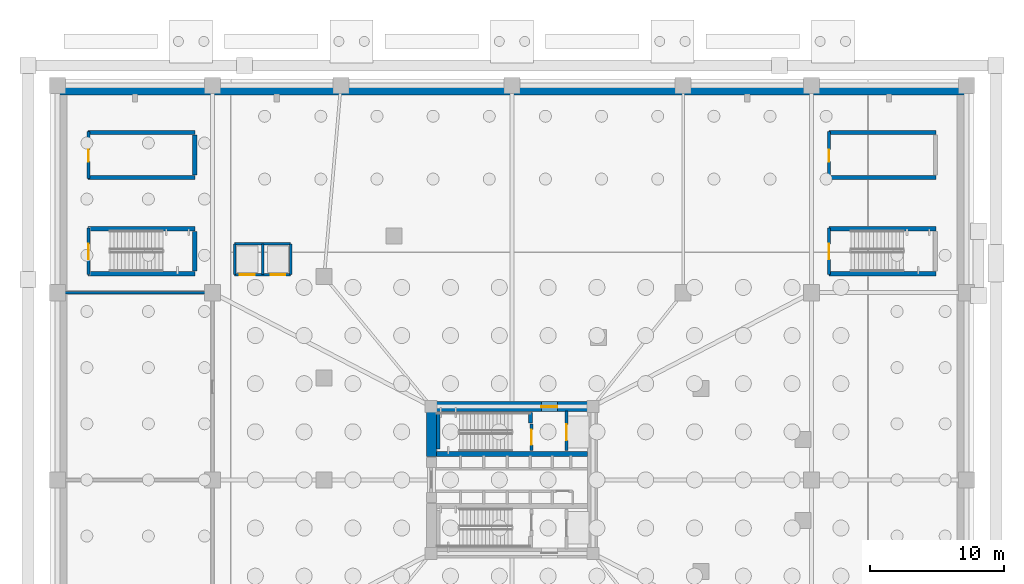
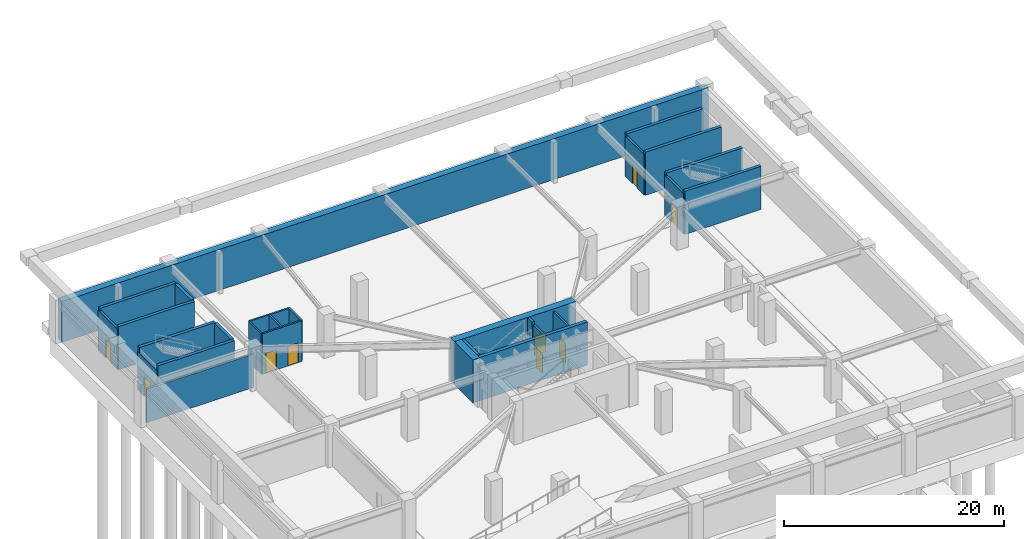
# One storey, part 7 of 14: 28 walls, 9 doors, 9 openings.
"""IFC4 building model written with IfcOpenShell, lengths in metres."""

import ifcopenshell
import ifcopenshell.guid

model = None  # the IFC model being written
_history = None  # IfcOwnerHistory: only IFC2X3 demands one
_inside = {}  # id of a spatial element -> (the spatial element, [elements in it])
_under = {}  # id of a project, library or spatial element -> (it, [spatial elements below it])
_declared = {}  # id of a project -> (the project, [libraries it declares])
_typed = {}  # id of a type object -> (the type object, [elements of that type])
_made_of = {}  # id of a material, layer set ... -> (it, [elements and type objects made of it])


def new_model(schema):
    """Start an empty IFC model of exactly this schema.

    Asked for "IFC4X3", IfcOpenShell would pick the latest addendum, in which some entities
    have other attributes; the version numbers below select the first issue.
    IFC2X3 requires an IfcOwnerHistory on every rooted entity: one is made here for all.
    """
    global model, _history
    if schema == "IFC4X3":
        model = ifcopenshell.file(schema_version=(4, 3, 0, 0))
    else:
        model = ifcopenshell.file(schema=schema)
    _inside.clear()
    _under.clear()
    _declared.clear()
    _typed.clear()
    _made_of.clear()
    _history = None
    if model.schema == "IFC2X3":
        org = make("IfcOrganization", Name="unknown")
        user = make(
            "IfcPersonAndOrganization",
            ThePerson=make("IfcPerson", FamilyName="unknown"),
            TheOrganization=org,
        )
        app = make(
            "IfcApplication",
            ApplicationDeveloper=org,
            Version="unknown",
            ApplicationFullName="unknown",
            ApplicationIdentifier="unknown",
        )
        _history = make(
            "IfcOwnerHistory",
            OwningUser=user,
            OwningApplication=app,
            ChangeAction="ADDED",
            CreationDate=0,
        )
    return model


def make(cls, **values):
    """One entity of the class cls with the attributes given. An attribute that is None is left unset."""
    return model.create_entity(
        cls, **{name: value for name, value in values.items() if value is not None}
    )


def rooted(cls, **values):
    """An entity with a GlobalId (a new one), such as an element, a storey or a relation."""
    return make(cls, GlobalId=ifcopenshell.guid.new(), OwnerHistory=_history, **values)


def si_unit(unit_type, name, prefix=None):
    """IfcSIUnit, for example si_unit("LENGTHUNIT", "METRE", prefix="MILLI")."""
    return make("IfcSIUnit", UnitType=unit_type, Prefix=prefix, Name=name)


def assignment(units):
    """IfcUnitAssignment: the units of a project."""
    return None if units is None else make("IfcUnitAssignment", Units=units)


def point(xyz):
    """IfcCartesianPoint."""
    return None if xyz is None else make("IfcCartesianPoint", Coordinates=xyz)


def direction(xyz):
    """IfcDirection."""
    return None if xyz is None else make("IfcDirection", DirectionRatios=xyz)


def frame(location, z_axis=None, x_axis=None):
    """IfcAxis2Placement3D, a coordinate frame: its origin and axes. An axis left out is left unset."""
    return make(
        "IfcAxis2Placement3D",
        Location=point(location),
        Axis=direction(z_axis),
        RefDirection=direction(x_axis),
    )


def frame_2d(location, x_axis=None):
    """IfcAxis2Placement2D, a coordinate frame in the plane: its origin and x axis."""
    return make(
        "IfcAxis2Placement2D", Location=point(location), RefDirection=direction(x_axis)
    )


def origin():
    """The frame at (0, 0, 0) with its axes left unset."""
    return frame((0.0, 0.0, 0.0))


def place(relative_to, where):
    """IfcLocalPlacement: puts the frame where relative to a parent placement (None: the world)."""
    return make(
        "IfcLocalPlacement", PlacementRelTo=relative_to, RelativePlacement=where
    )


def context(
    kind, dimensions, precision=None, world=None, true_north=None, identifier=None
):
    """IfcGeometricRepresentationContext, for example the 3D "Model" context."""
    return make(
        "IfcGeometricRepresentationContext",
        ContextIdentifier=identifier,
        ContextType=kind,
        CoordinateSpaceDimension=dimensions,
        Precision=precision,
        WorldCoordinateSystem=world,
        TrueNorth=true_north,
    )


def subcontext(parent, identifier, kind, view, scale=None):
    """IfcGeometricRepresentationSubContext, for example "Body" below "Model"."""
    return make(
        "IfcGeometricRepresentationSubContext",
        ContextIdentifier=identifier,
        ContextType=kind,
        ParentContext=parent,
        TargetScale=scale,
        TargetView=view,
    )


def project(units=None, contexts=None):
    """IfcProject with its units and contexts."""
    return rooted(
        "IfcProject",
        Name="project",
        RepresentationContexts=contexts,
        UnitsInContext=assignment(units),
    )


def spatial(cls, under=None, at=None, **own):
    """A site, building, storey or space (cls), placed at a placement, below another one or the project."""
    s = rooted(cls, ObjectPlacement=at, **own)
    if under is not None:
        _under.setdefault(under.id(), (under, []))[1].append(s)
    return s


def profile(cls, at=None, kind="AREA", **sizes):
    """A parametric profile (cls). Its sizes go by their IFC names, for example OverallWidth=200.0."""
    return make(cls, ProfileType=kind, Position=at, **sizes)


def rectangle(**sizes):
    """IfcRectangleProfileDef."""
    return profile("IfcRectangleProfileDef", **sizes)


def extrude(swept, where, along, depth):
    """IfcExtrudedAreaSolid: the profile swept, set in the frame where, extruded along a direction by depth."""
    return make(
        "IfcExtrudedAreaSolid",
        SweptArea=swept,
        Position=where,
        ExtrudedDirection=direction(along),
        Depth=depth,
    )


def shape(context_of_items, identifier, shape_type, items):
    """IfcShapeRepresentation: the items that make up one representation, for example the "Body"."""
    return make(
        "IfcShapeRepresentation",
        ContextOfItems=context_of_items,
        RepresentationIdentifier=identifier,
        RepresentationType=shape_type,
        Items=items,
    )


def material(Name=None, Category=None):
    """IfcMaterial."""
    return make("IfcMaterial", Name=Name, Category=Category)


def layer(
    of_material, thickness, ventilated=None, Name=None, Category=None, Priority=None
):
    """IfcMaterialLayer: one layer of a wall or slab, of a material (None: an air gap)."""
    return make(
        "IfcMaterialLayer",
        Material=of_material,
        LayerThickness=thickness,
        IsVentilated=ventilated,
        Name=Name,
        Category=Category,
        Priority=Priority,
    )


def layer_set(layers, Name=None):
    """IfcMaterialLayerSet."""
    return make("IfcMaterialLayerSet", MaterialLayers=layers, LayerSetName=Name)


def made_of(thing, what):
    """Note that an element or type object is made of a material, layer set ...; save() writes the relation."""
    if what is not None:
        _made_of.setdefault(what.id(), (what, []))[1].append(thing)
    return thing


def type_object(cls, material=None, **own):
    """A type object (cls), such as IfcWallType, which elements share."""
    return made_of(rooted(cls, **own), material)


def element(
    cls,
    number,
    at=None,
    inside=None,
    cuts=None,
    type_object=None,
    material=None,
    context=None,
    identifier="Body",
    shape_type=None,
    held_by="IfcProductDefinitionShape",
    body=None,
    shapes=None,
    **own,
):
    """One element of the class cls, such as IfcWall. Its Tag is "e" and its number.

    at: its placement. inside: the storey or other place that contains it. cuts: it is an
    opening in that element (IfcRelVoidsElement). A single representation is given by context,
    identifier, shape_type and body (its items); several are given by shapes. held_by: the class
    of the entity that holds the representations. save() writes the other relations.
    """
    e = rooted(cls, Tag="e%d" % number, ObjectPlacement=at, **own)
    if body is not None:
        shapes = [shape(context, identifier, shape_type, body)]
    if shapes is not None:
        e.Representation = make(held_by, Representations=shapes)
    if inside is not None:
        _inside.setdefault(inside.id(), (inside, []))[1].append(e)
    if cuts is not None:
        rooted(
            "IfcRelVoidsElement", RelatingBuildingElement=cuts, RelatedOpeningElement=e
        )
    if type_object is not None:
        _typed.setdefault(type_object.id(), (type_object, []))[1].append(e)
    return made_of(e, material)


def fill(opening, filler):
    """IfcRelFillsElement: the door or window that sits in an opening."""
    return rooted(
        "IfcRelFillsElement",
        RelatingOpeningElement=opening,
        RelatedBuildingElement=filler,
    )


def aggregate(whole, parts):
    """IfcRelAggregates: a whole, such as a stair, and the parts it consists of."""
    return rooted("IfcRelAggregates", RelatingObject=whole, RelatedObjects=parts)


def save(model, path):
    """Write the relations noted so far, then the file.

    IfcRelAggregates (storeys below a building ...), IfcRelContainedInSpatialStructure (elements
    in a storey), IfcRelDefinesByType, IfcRelAssociatesMaterial and IfcRelDeclares: one each for
    every whole, place, type object, material and project.
    """
    for whole, parts in _under.values():
        aggregate(whole, parts)
    for where, things in _inside.values():
        rooted(
            "IfcRelContainedInSpatialStructure",
            RelatedElements=things,
            RelatingStructure=where,
        )
    for kind, things in _typed.values():
        rooted("IfcRelDefinesByType", RelatedObjects=things, RelatingType=kind)
    for what, things in _made_of.values():
        rooted("IfcRelAssociatesMaterial", RelatedObjects=things, RelatingMaterial=what)
    for by, libraries in _declared.values():
        rooted("IfcRelDeclares", RelatingContext=by, RelatedDefinitions=libraries)
    model.write(path)


model = new_model("IFC4")

# Units and contexts
model_context = context("Model", 3, precision=1e-05, world=origin(), true_north=direction((0.0, 1.0)))
body_context = subcontext(model_context, "Body", "Model", "MODEL_VIEW")
ifc_project = project(units=[si_unit("LENGTHUNIT", "METRE"), si_unit("AREAUNIT", "SQUARE_METRE"), si_unit("VOLUMEUNIT", "CUBIC_METRE"), si_unit("PLANEANGLEUNIT", "RADIAN"), si_unit("MASSUNIT", "GRAM", prefix="KILO")], contexts=[model_context])

# Site, building, storey
site_placement = place(None, origin())
site = spatial("IfcSite", under=ifc_project, at=site_placement, CompositionType="ELEMENT")
building_placement = place(site_placement, origin())
building = spatial("IfcBuilding", under=site, at=building_placement, Name="Yunling Apex Tower", CompositionType="ELEMENT")
storey_placement = place(building_placement, frame((0.0, 0.0, -9.60009765625)))
storey = spatial("IfcBuildingStorey", under=building, at=storey_placement, Name="B02", CompositionType="ELEMENT", Elevation=-9.60009765625)

# Wall
ifc_material_1 = material(Name="Concrete C50", Category="concrete")
ifc_layer_1 = layer(ifc_material_1, 0.699951171875)
ifc_layer_set_1 = layer_set([ifc_layer_1], Name="Concrete C50")
wall_type_1 = type_object("IfcWallType", Name="WL-BSM-1", PredefinedType="USERDEFINED", material=ifc_layer_set_1)
wall_1_placement = place(storey_placement, frame((-34.0, 29.14990234375, 0.0), z_axis=(0.0, 0.0, 1.0), x_axis=(1.0, 0.0, 0.0)))
element("IfcWall", 1, at=wall_1_placement, inside=storey, type_object=wall_type_1, Name="B02 North Retaining Wall", ObjectType="RETAININGWALL", PredefinedType="USERDEFINED", context=body_context, shape_type="SweptSolid", body=[
    extrude(rectangle(XDim=68.0, YDim=0.699951171875, at=frame_2d((34.0, 0.0))), origin(), (0.0, 0.0, 1.0), 4.5400390625),
])

# Wall, opening, door
ifc_material_2 = material(Name="Concrete C60", Category="concrete")
ifc_layer_2 = layer(ifc_material_2, 0.75)
ifc_layer_set_2 = layer_set([ifc_layer_2], Name="Concrete C60")
wall_type_2 = type_object("IfcWallType", Name="WL-COR-1", PredefinedType="SHEAR", material=ifc_layer_set_2)
wall_2_placement = place(storey_placement, frame((-6.39990234375, 5.47509765625, 0.0), z_axis=(0.0, 0.0, 1.0), x_axis=(1.0, 0.0, 0.0)))
wall_2 = element("IfcWall", 2, at=wall_2_placement, inside=storey, type_object=wall_type_2, Name="B02 North Core Shear Wall", PredefinedType="SHEAR", context=body_context, shape_type="SweptSolid", body=[
    extrude(rectangle(XDim=12.7998046875, YDim=0.75, at=frame_2d((6.39990234375, 0.0))), origin(), (0.0, 0.0, 1.0), 4.800048828125),
])
opening_1_placement = place(wall_2_placement, frame((8.60009765625, 0.0, 0.0)))
opening_1 = element("IfcOpeningElement", 3, at=opening_1_placement, cuts=wall_2, Name="Opening DR-FFL-1", PredefinedType="OPENING", context=body_context, shape_type="SweptSolid", body=[
    extrude(rectangle(XDim=1.199951171875, YDim=2.199951171875, at=frame_2d((0.60009765625, 1.10009765625))), frame((0.0, 0.385009765625, 0.0), z_axis=(0.0, -1.0, 0.0), x_axis=(1.0, 0.0, 0.0)), (0.0, 0.0, 1.0), 0.77001953125),
])
ifc_material_3 = material(Name="Steel Q355B", Category="steel")
door_type_1 = type_object("IfcDoorType", Name="DR-FFL-1", OperationType="NOTDEFINED", PredefinedType="DOOR", material=ifc_material_3)
door_1_placement = place(opening_1_placement, origin())
door_1 = element("IfcDoor", 4, at=door_1_placement, inside=storey, type_object=door_type_1, Name="B02 North Firefighting Lobby Door", OperationType="SINGLE_SWING_LEFT", OverallHeight=2.199951171875, OverallWidth=1.199951171875, PredefinedType="DOOR", context=body_context, shape_type="SweptSolid", body=[
    extrude(rectangle(XDim=1.199951171875, YDim=2.199951171875, at=frame_2d((0.60009765625, 1.10009765625))), frame((0.0, 0.02490234375, 0.0), z_axis=(0.0, -1.0, 0.0), x_axis=(1.0, 0.0, 0.0)), (0.0, 0.0, 1.0), 0.050048828125),
])
fill(opening_1, door_1)

# Walls
wall_3_placement = place(storey_placement, frame((-6.02490234375, 1.75, 0.0), z_axis=(0.0, 0.0, 1.0), x_axis=(0.0, 1.0, 0.0)))
element("IfcWall", 5, at=wall_3_placement, inside=storey, type_object=wall_type_2, Name="B02 West-North Core Shear Wall", PredefinedType="SHEAR", context=body_context, shape_type="SweptSolid", body=[
    extrude(rectangle(XDim=3.35009765625, YDim=0.75, at=frame_2d((1.675048828125, 0.0))), origin(), (0.0, 0.0, 1.0), 4.800048828125),
])
ifc_material_4 = material(Name="Concrete C40", Category="concrete")
ifc_layer_3 = layer(ifc_material_4, 0.360107421875)
ifc_layer_set_3 = layer_set([ifc_layer_3], Name="Concrete C40")
wall_type_3 = type_object("IfcWallType", Name="WL-COR-4", PredefinedType="SHEAR", material=ifc_layer_set_3)
wall_4_placement = place(storey_placement, frame((-5.64990234375, 1.93994140625, 0.0), z_axis=(0.0, 0.0, 1.0), x_axis=(1.0, 0.0, 0.0)))
element("IfcWall", 6, at=wall_4_placement, inside=storey, type_object=wall_type_3, Name="B02 North Internal Core Shear Wall", PredefinedType="SHEAR", context=body_context, shape_type="SweptSolid", body=[
    extrude(rectangle(XDim=11.2998046875, YDim=0.360107421875, at=frame_2d((5.64990234375, 0.0))), origin(), (0.0, 0.0, 1.0), 4.800048828125),
])
ifc_layer_4 = layer(ifc_material_4, 0.320068359375)
ifc_layer_set_4 = layer_set([ifc_layer_4], Name="Concrete C40")
wall_type_4 = type_object("IfcWallType", Name="WL-COR-7", PredefinedType="SHEAR", material=ifc_layer_set_4)
for number, where, z_axis, x_axis, name in (
    (7, (-31.699951171875, 18.780029296875, 0.0), (0.0, 0.0, 1.0), (1.0, 0.0, 0.0), "B02 STP1 North Bearing Wall"),
    (8, (-31.699951171875, 15.419921875, 0.0), (0.0, 0.0, 1.0), (1.0, 0.0, 0.0), "B02 STP1 South Bearing Wall"),
):
    element("IfcWall", number, at=place(storey_placement, frame(where, z_axis=z_axis, x_axis=x_axis)), inside=storey, type_object=wall_type_4, Name=name, PredefinedType="SHEAR", context=body_context, shape_type="SweptSolid", body=[
        extrude(rectangle(XDim=8.0, YDim=0.320068359375, at=frame_2d((4.0, 0.0))), origin(), (0.0, 0.0, 1.0), 4.800048828125),
    ])
wall_5_placement = place(storey_placement, frame((-23.719970703125, 15.6201171875, 0.0), z_axis=(0.0, 0.0, 1.0), x_axis=(0.0, 1.0, 0.0)))
element("IfcWall", 9, at=wall_5_placement, inside=storey, type_object=wall_type_4, Name="B02 STP1 Half-Landing Bearing Wall", PredefinedType="SHEAR", context=body_context, shape_type="SweptSolid", body=[
    extrude(rectangle(XDim=2.9599609375, YDim=0.320068359375, at=frame_2d((1.47998046875, 0.0))), origin(), (0.0, 0.0, 1.0), 4.800048828125),
])
for number, where, z_axis, x_axis, name in (
    (10, (23.699951171875, 18.780029296875, 0.0), (0.0, 0.0, 1.0), (1.0, 0.0, 0.0), "B02 STP2 North Bearing Wall"),
    (11, (23.699951171875, 15.419921875, 0.0), (0.0, 0.0, 1.0), (1.0, 0.0, 0.0), "B02 STP2 South Bearing Wall"),
    (12, (-31.699951171875, 25.97998046875, 0.0), (0.0, 0.0, 1.0), (1.0, 0.0, 0.0), "B02 STG1 North Bearing Wall"),
    (13, (-31.699951171875, 22.6201171875, 0.0), (0.0, 0.0, 1.0), (1.0, 0.0, 0.0), "B02 STG1 South Bearing Wall"),
):
    element("IfcWall", number, at=place(storey_placement, frame(where, z_axis=z_axis, x_axis=x_axis)), inside=storey, type_object=wall_type_4, Name=name, PredefinedType="SHEAR", context=body_context, shape_type="SweptSolid", body=[
        extrude(rectangle(XDim=8.0, YDim=0.320068359375, at=frame_2d((4.0, 0.0))), origin(), (0.0, 0.0, 1.0), 4.800048828125),
    ])
wall_6_placement = place(storey_placement, frame((-23.719970703125, 22.820068359375, 0.0), z_axis=(0.0, 0.0, 1.0), x_axis=(0.0, 1.0, 0.0)))
element("IfcWall", 14, at=wall_6_placement, inside=storey, type_object=wall_type_4, Name="B02 STG1 Half-Landing Bearing Wall", PredefinedType="SHEAR", context=body_context, shape_type="SweptSolid", body=[
    extrude(rectangle(XDim=2.9599609375, YDim=0.320068359375, at=frame_2d((1.47998046875, 0.0))), origin(), (0.0, 0.0, 1.0), 4.800048828125),
])
for number, where, z_axis, x_axis, name in (
    (15, (23.699951171875, 25.97998046875, 0.0), (0.0, 0.0, 1.0), (1.0, 0.0, 0.0), "B02 STG2 North Bearing Wall"),
    (16, (23.699951171875, 22.6201171875, 0.0), (0.0, 0.0, 1.0), (1.0, 0.0, 0.0), "B02 STG2 South Bearing Wall"),
):
    element("IfcWall", number, at=place(storey_placement, frame(where, z_axis=z_axis, x_axis=x_axis)), inside=storey, type_object=wall_type_4, Name=name, PredefinedType="SHEAR", context=body_context, shape_type="SweptSolid", body=[
        extrude(rectangle(XDim=8.0, YDim=0.320068359375, at=frame_2d((4.0, 0.0))), origin(), (0.0, 0.0, 1.0), 4.800048828125),
    ])
ifc_layer_5 = layer(ifc_material_4, 0.280029296875)
ifc_layer_set_5 = layer_set([ifc_layer_5], Name="Concrete C40")
wall_type_5 = type_object("IfcWallType", Name="WL-COR-8", PredefinedType="SHEAR", material=ifc_layer_set_5)
wall_7_placement = place(storey_placement, frame((-5.52001953125, 2.300048828125, 0.0), z_axis=(0.0, 0.0, 1.0), x_axis=(0.0, 1.0, 0.0)))
element("IfcWall", 17, at=wall_7_placement, inside=storey, type_object=wall_type_5, Name="B02 ST-1 West Landing Bearing Wall", PredefinedType="SHEAR", context=body_context, shape_type="SweptSolid", body=[
    extrude(rectangle(XDim=2.75, YDim=0.280029296875, at=frame_2d((1.375, 0.0))), origin(), (0.0, 0.0, 1.0), 4.800048828125),
])
wall_8_placement = place(storey_placement, frame((1.3798828125, 4.25, 0.0), z_axis=(0.0, 0.0, 1.0), x_axis=(0.0, 1.0, 0.0)))
element("IfcWall", 18, at=wall_8_placement, inside=storey, type_object=wall_type_5, Name="B02 ST-1 East Landing Bearing Pier", PredefinedType="SHEAR", context=body_context, shape_type="SweptSolid", body=[
    extrude(rectangle(XDim=0.800048828125, YDim=0.280029296875, at=frame_2d((0.39990234375, 0.0))), origin(), (0.0, 0.0, 1.0), 4.800048828125),
])

# Wall, opening, door
ifc_material_5 = material(Name="Autoclaved aerated concrete masonry", Category="masonry")
ifc_layer_6 = layer(ifc_material_5, 0.219970703125)
ifc_layer_set_6 = layer_set([ifc_layer_6], Name="Autoclaved aerated concrete masonry")
wall_type_6 = type_object("IfcWallType", Name="WL-SHF-1", PredefinedType="PLUMBINGWALL", material=ifc_layer_set_6)
wall_9_placement = place(storey_placement, frame((1.449951171875, 2.199951171875, 0.0), z_axis=(0.0, 0.0, 1.0), x_axis=(0.0, 1.0, 0.0)))
wall_9 = element("IfcWall", 19, at=wall_9_placement, inside=storey, type_object=wall_type_6, Name="WL-ST1-E-B02", PredefinedType="PLUMBINGWALL", context=body_context, shape_type="SweptSolid", body=[
    extrude(rectangle(XDim=1.97998046875, YDim=0.219970703125, at=frame_2d((0.989990234375, 0.0))), origin(), (0.0, 0.0, 1.0), 4.52001953125),
])
opening_2_placement = place(wall_9_placement, frame((0.419921875, 0.0, 0.0)))
opening_2 = element("IfcOpeningElement", 20, at=opening_2_placement, cuts=wall_9, Name="Opening DR-ST-1", PredefinedType="OPENING", context=body_context, shape_type="SweptSolid", body=[
    extrude(rectangle(XDim=1.14990234375, YDim=2.14990234375, at=frame_2d((0.574951171875, 1.074951171875))), frame((0.0, 0.1201171875, 0.0), z_axis=(0.0, -1.0, 0.0), x_axis=(1.0, 0.0, 0.0)), (0.0, 0.0, 1.0), 0.239990234375),
])
door_type_2 = type_object("IfcDoorType", Name="DR-ST-1", OperationType="NOTDEFINED", PredefinedType="DOOR", material=ifc_material_3)
door_2_placement = place(opening_2_placement, origin())
door_2 = element("IfcDoor", 21, at=door_2_placement, inside=storey, type_object=door_type_2, Name="B02 Stair ST-1 Fire Door", OperationType="SINGLE_SWING_RIGHT", OverallHeight=2.14990234375, OverallWidth=1.14990234375, PredefinedType="DOOR", context=body_context, shape_type="SweptSolid", body=[
    extrude(rectangle(XDim=1.14990234375, YDim=2.14990234375, at=frame_2d((0.574951171875, 1.074951171875))), frame((0.0, 0.02490234375, 0.0), z_axis=(0.0, -1.0, 0.0), x_axis=(1.0, 0.0, 0.0)), (0.0, 0.0, 1.0), 0.050048828125),
])
fill(opening_2, door_2)

wall_10_placement = place(storey_placement, frame((4.080078125, 2.199951171875, 0.0), z_axis=(0.0, 0.0, 1.0), x_axis=(0.0, 1.0, 0.0)))
wall_10 = element("IfcWall", 22, at=wall_10_placement, inside=storey, type_object=wall_type_6, Name="WL-FFL1-W-B02", PredefinedType="PLUMBINGWALL", context=body_context, shape_type="SweptSolid", body=[
    extrude(rectangle(XDim=2.949951171875, YDim=0.219970703125, at=frame_2d((1.47509765625, 0.0))), origin(), (0.0, 0.0, 1.0), 4.52001953125),
])
opening_3_placement = place(wall_10_placement, frame((0.75, 0.0, 0.0)))
opening_3 = element("IfcOpeningElement", 23, at=opening_3_placement, cuts=wall_10, Name="Opening LD-FFL-1", PredefinedType="OPENING", context=body_context, shape_type="SweptSolid", body=[
    extrude(rectangle(XDim=1.199951171875, YDim=2.25, at=frame_2d((0.60009765625, 1.125))), frame((0.0, 0.1201171875, 0.0), z_axis=(0.0, -1.0, 0.0), x_axis=(1.0, 0.0, 0.0)), (0.0, 0.0, 1.0), 0.239990234375),
])
door_type_3 = type_object("IfcDoorType", Name="LD-FFL-1", OperationType="DOUBLE_DOOR_SLIDING", PredefinedType="DOOR", material=ifc_material_3)
door_3_placement = place(opening_3_placement, origin())
door_3 = element("IfcDoor", 24, at=door_3_placement, inside=storey, type_object=door_type_3, Name="B02 Lift FFL-1 Landing Door", OperationType="DOUBLE_DOOR_SLIDING", OverallHeight=2.25, OverallWidth=1.199951171875, PredefinedType="DOOR", context=body_context, shape_type="SweptSolid", body=[
    extrude(rectangle(XDim=1.199951171875, YDim=2.25, at=frame_2d((0.60009765625, 1.125))), frame((0.0, 0.02490234375, 0.0), z_axis=(0.0, -1.0, 0.0), x_axis=(1.0, 0.0, 0.0)), (0.0, 0.0, 1.0), 0.050048828125),
])
fill(opening_3, door_3)

wall_11_placement = place(storey_placement, frame((-31.679931640625, 15.35009765625, 0.0), z_axis=(0.0, 0.0, 1.0), x_axis=(0.0, 1.0, 0.0)))
wall_11 = element("IfcWall", 25, at=wall_11_placement, inside=storey, type_object=wall_type_6, Name="WL-STP1-W-B02", PredefinedType="PLUMBINGWALL", context=body_context, shape_type="SweptSolid", body=[
    extrude(rectangle(XDim=3.5, YDim=0.219970703125, at=frame_2d((1.75, 0.0))), origin(), (0.0, 0.0, 1.0), 4.25),
])
opening_4_placement = place(wall_11_placement, frame((1.14990234375, 0.0, 0.0)))
opening_4 = element("IfcOpeningElement", 26, at=opening_4_placement, cuts=wall_11, Name="Opening DR-ST-1", PredefinedType="OPENING", context=body_context, shape_type="SweptSolid", body=[
    extrude(rectangle(XDim=1.14990234375, YDim=2.14990234375, at=frame_2d((0.574951171875, 1.074951171875))), frame((0.0, 0.1201171875, 0.0), z_axis=(0.0, -1.0, 0.0), x_axis=(1.0, 0.0, 0.0)), (0.0, 0.0, 1.0), 0.239990234375),
])
door_4_placement = place(opening_4_placement, origin())
door_4 = element("IfcDoor", 27, at=door_4_placement, inside=storey, type_object=door_type_2, Name="B02 Stair ST-P1 Door", OperationType="SINGLE_SWING_LEFT", OverallHeight=2.14990234375, OverallWidth=1.14990234375, PredefinedType="DOOR", context=body_context, shape_type="SweptSolid", body=[
    extrude(rectangle(XDim=1.14990234375, YDim=2.14990234375, at=frame_2d((0.574951171875, 1.074951171875))), frame((0.0, 0.02490234375, 0.0), z_axis=(0.0, -1.0, 0.0), x_axis=(1.0, 0.0, 0.0)), (0.0, 0.0, 1.0), 0.050048828125),
])
fill(opening_4, door_4)

wall_12_placement = place(storey_placement, frame((23.719970703125, 15.35009765625, 0.0), z_axis=(0.0, 0.0, 1.0), x_axis=(0.0, 1.0, 0.0)))
wall_12 = element("IfcWall", 28, at=wall_12_placement, inside=storey, type_object=wall_type_6, Name="WL-STP2-W-B02", PredefinedType="PLUMBINGWALL", context=body_context, shape_type="SweptSolid", body=[
    extrude(rectangle(XDim=3.5, YDim=0.219970703125, at=frame_2d((1.75, 0.0))), origin(), (0.0, 0.0, 1.0), 4.52001953125),
])
opening_5_placement = place(wall_12_placement, frame((1.14990234375, 0.0, 0.0)))
opening_5 = element("IfcOpeningElement", 29, at=opening_5_placement, cuts=wall_12, Name="Opening DR-ST-1", PredefinedType="OPENING", context=body_context, shape_type="SweptSolid", body=[
    extrude(rectangle(XDim=1.14990234375, YDim=2.14990234375, at=frame_2d((0.574951171875, 1.074951171875))), frame((0.0, 0.1201171875, 0.0), z_axis=(0.0, -1.0, 0.0), x_axis=(1.0, 0.0, 0.0)), (0.0, 0.0, 1.0), 0.239990234375),
])
door_5_placement = place(opening_5_placement, origin())
door_5 = element("IfcDoor", 30, at=door_5_placement, inside=storey, type_object=door_type_2, Name="B02 Stair ST-P2 Door", OperationType="SINGLE_SWING_RIGHT", OverallHeight=2.14990234375, OverallWidth=1.14990234375, PredefinedType="DOOR", context=body_context, shape_type="SweptSolid", body=[
    extrude(rectangle(XDim=1.14990234375, YDim=2.14990234375, at=frame_2d((0.574951171875, 1.074951171875))), frame((0.0, 0.02490234375, 0.0), z_axis=(0.0, -1.0, 0.0), x_axis=(1.0, 0.0, 0.0)), (0.0, 0.0, 1.0), 0.050048828125),
])
fill(opening_5, door_5)

wall_13_placement = place(storey_placement, frame((-31.679931640625, 22.550048828125, 0.0), z_axis=(0.0, 0.0, 1.0), x_axis=(0.0, 1.0, 0.0)))
wall_13 = element("IfcWall", 31, at=wall_13_placement, inside=storey, type_object=wall_type_6, Name="WL-STG1-W-B02", PredefinedType="PLUMBINGWALL", context=body_context, shape_type="SweptSolid", body=[
    extrude(rectangle(XDim=3.5, YDim=0.219970703125, at=frame_2d((1.75, 0.0))), origin(), (0.0, 0.0, 1.0), 4.52001953125),
])
opening_6_placement = place(wall_13_placement, frame((1.25, 0.0, 0.0)))
opening_6 = element("IfcOpeningElement", 32, at=opening_6_placement, cuts=wall_13, Name="Opening DR-SHF-1", PredefinedType="OPENING", context=body_context, shape_type="SweptSolid", body=[
    extrude(rectangle(XDim=0.89990234375, YDim=2.050048828125, at=frame_2d((0.449951171875, 1.02490234375))), frame((0.0, 0.1201171875, 0.0), z_axis=(0.0, -1.0, 0.0), x_axis=(1.0, 0.0, 0.0)), (0.0, 0.0, 1.0), 0.239990234375),
])
door_type_4 = type_object("IfcDoorType", Name="DR-SHF-1", OperationType="NOTDEFINED", PredefinedType="DOOR", material=ifc_material_3)
door_6_placement = place(opening_6_placement, origin())
door_6 = element("IfcDoor", 33, at=door_6_placement, inside=storey, type_object=door_type_4, Name="B02 NW Vault Door", OperationType="SINGLE_SWING_LEFT", OverallHeight=2.050048828125, OverallWidth=0.89990234375, PredefinedType="DOOR", context=body_context, shape_type="SweptSolid", body=[
    extrude(rectangle(XDim=0.89990234375, YDim=2.050048828125, at=frame_2d((0.449951171875, 1.02490234375))), frame((0.0, 0.02490234375, 0.0), z_axis=(0.0, -1.0, 0.0), x_axis=(1.0, 0.0, 0.0)), (0.0, 0.0, 1.0), 0.050048828125),
])
fill(opening_6, door_6)

wall_14_placement = place(storey_placement, frame((23.719970703125, 22.550048828125, 0.0), z_axis=(0.0, 0.0, 1.0), x_axis=(0.0, 1.0, 0.0)))
wall_14 = element("IfcWall", 34, at=wall_14_placement, inside=storey, type_object=wall_type_6, Name="WL-STG2-W-B02", PredefinedType="PLUMBINGWALL", context=body_context, shape_type="SweptSolid", body=[
    extrude(rectangle(XDim=3.5, YDim=0.219970703125, at=frame_2d((1.75, 0.0))), origin(), (0.0, 0.0, 1.0), 4.52001953125),
])
opening_7_placement = place(wall_14_placement, frame((1.25, 0.0, 0.0)))
opening_7 = element("IfcOpeningElement", 35, at=opening_7_placement, cuts=wall_14, Name="Opening DR-SHF-1", PredefinedType="OPENING", context=body_context, shape_type="SweptSolid", body=[
    extrude(rectangle(XDim=0.89990234375, YDim=2.050048828125, at=frame_2d((0.449951171875, 1.02490234375))), frame((0.0, 0.1201171875, 0.0), z_axis=(0.0, -1.0, 0.0), x_axis=(1.0, 0.0, 0.0)), (0.0, 0.0, 1.0), 0.239990234375),
])
door_7_placement = place(opening_7_placement, origin())
door_7 = element("IfcDoor", 36, at=door_7_placement, inside=storey, type_object=door_type_4, Name="B02 NE Vault Door", OperationType="SINGLE_SWING_RIGHT", OverallHeight=2.050048828125, OverallWidth=0.89990234375, PredefinedType="DOOR", context=body_context, shape_type="SweptSolid", body=[
    extrude(rectangle(XDim=0.89990234375, YDim=2.050048828125, at=frame_2d((0.449951171875, 1.02490234375))), frame((0.0, 0.02490234375, 0.0), z_axis=(0.0, -1.0, 0.0), x_axis=(1.0, 0.0, 0.0)), (0.0, 0.0, 1.0), 0.050048828125),
])
fill(opening_7, door_7)

# Wall
wall_15_placement = place(storey_placement, frame((-33.699951171875, 14.0, 0.0), z_axis=(0.0, 0.0, 1.0), x_axis=(1.0, 0.0, 0.0)))
element("IfcWall", 37, at=wall_15_placement, inside=storey, type_object=wall_type_6, Name="WL-BMEP-N-B02", PredefinedType="PLUMBINGWALL", context=body_context, shape_type="SweptSolid", body=[
    extrude(rectangle(XDim=11.300048828125, YDim=0.219970703125, at=frame_2d((5.64990234375, 0.0))), origin(), (0.0, 0.0, 1.0), 3.72509765625),
])

# Wall, openings, doors
ifc_layer_7 = layer(ifc_material_5, 0.179931640625)
ifc_layer_set_7 = layer_set([ifc_layer_7], Name="Autoclaved aerated concrete masonry")
wall_type_7 = type_object("IfcWallType", Name="WL-SHF-2", PredefinedType="PLUMBINGWALL", material=ifc_layer_set_7)
wall_16_placement = place(storey_placement, frame((-20.75, 15.35009765625, 0.0), z_axis=(0.0, 0.0, 1.0), x_axis=(1.0, 0.0, 0.0)))
wall_16 = element("IfcWall", 38, at=wall_16_placement, inside=storey, type_object=wall_type_7, Name="WL-PLP-S-B02", PredefinedType="PLUMBINGWALL", context=body_context, shape_type="SweptSolid", body=[
    extrude(rectangle(XDim=4.199951171875, YDim=0.179931640625, at=frame_2d((2.10009765625, 0.0))), origin(), (0.0, 0.0, 1.0), 4.52001953125),
])
opening_8_placement = place(wall_16_placement, frame((0.39990234375, 0.0, 0.0)))
opening_8 = element("IfcOpeningElement", 39, at=opening_8_placement, cuts=wall_16, Name="Opening LD-PAS-1", PredefinedType="OPENING", context=body_context, shape_type="SweptSolid", body=[
    extrude(rectangle(XDim=1.10009765625, YDim=2.199951171875, at=frame_2d((0.550048828125, 1.10009765625))), frame((0.0, 0.10009765625, 0.0), z_axis=(0.0, -1.0, 0.0), x_axis=(1.0, 0.0, 0.0)), (0.0, 0.0, 1.0), 0.199951171875),
])
opening_9_placement = place(wall_16_placement, frame((2.699951171875, 0.0, 0.0)))
opening_9 = element("IfcOpeningElement", 40, at=opening_9_placement, cuts=wall_16, Name="Opening LD-PAS-1", PredefinedType="OPENING", context=body_context, shape_type="SweptSolid", body=[
    extrude(rectangle(XDim=1.10009765625, YDim=2.199951171875, at=frame_2d((0.550048828125, 1.10009765625))), frame((0.0, 0.10009765625, 0.0), z_axis=(0.0, -1.0, 0.0), x_axis=(1.0, 0.0, 0.0)), (0.0, 0.0, 1.0), 0.199951171875),
])
ifc_material_6 = material(Name="Silver anodised aluminium", Category="aluminium")
door_type_5 = type_object("IfcDoorType", Name="LD-PAS-1", OperationType="DOUBLE_DOOR_SLIDING", PredefinedType="DOOR", material=ifc_material_6)
door_8_placement = place(opening_8_placement, origin())
door_8 = element("IfcDoor", 41, at=door_8_placement, inside=storey, type_object=door_type_5, Name="B02 Lift PL-P1 Landing Door", OperationType="DOUBLE_DOOR_SLIDING", OverallHeight=2.199951171875, OverallWidth=1.10009765625, PredefinedType="DOOR", context=body_context, shape_type="SweptSolid", body=[
    extrude(rectangle(XDim=1.10009765625, YDim=2.199951171875, at=frame_2d((0.550048828125, 1.10009765625))), frame((0.0, 0.02490234375, 0.0), z_axis=(0.0, -1.0, 0.0), x_axis=(1.0, 0.0, 0.0)), (0.0, 0.0, 1.0), 0.050048828125),
])
fill(opening_8, door_8)
door_9_placement = place(opening_9_placement, origin())
door_9 = element("IfcDoor", 42, at=door_9_placement, inside=storey, type_object=door_type_5, Name="B02 Lift PL-P2 Landing Door", OperationType="DOUBLE_DOOR_SLIDING", OverallHeight=2.199951171875, OverallWidth=1.10009765625, PredefinedType="DOOR", context=body_context, shape_type="SweptSolid", body=[
    extrude(rectangle(XDim=1.10009765625, YDim=2.199951171875, at=frame_2d((0.550048828125, 1.10009765625))), frame((0.0, 0.02490234375, 0.0), z_axis=(0.0, -1.0, 0.0), x_axis=(1.0, 0.0, 0.0)), (0.0, 0.0, 1.0), 0.050048828125),
])
fill(opening_9, door_9)

# Walls
wall_17_placement = place(storey_placement, frame((-20.75, 17.64990234375, 0.0), z_axis=(0.0, 0.0, 1.0), x_axis=(1.0, 0.0, 0.0)))
element("IfcWall", 43, at=wall_17_placement, inside=storey, type_object=wall_type_7, Name="WL-PLP-N-B02", PredefinedType="PLUMBINGWALL", context=body_context, shape_type="SweptSolid", body=[
    extrude(rectangle(XDim=4.199951171875, YDim=0.179931640625, at=frame_2d((2.10009765625, 0.0))), origin(), (0.0, 0.0, 1.0), 4.52001953125),
])
for number, where, z_axis, x_axis, name in (
    (44, (-20.75, 15.35009765625, 0.0), (0.0, 0.0, 1.0), (0.0, 1.0, 0.0), "WL-PLP-W-B02"),
    (45, (-18.64990234375, 15.35009765625, 0.0), (0.0, 0.0, 1.0), (0.0, 1.0, 0.0), "WL-PLP-M-B02"),
    (46, (-16.550048828125, 15.35009765625, 0.0), (0.0, 0.0, 1.0), (0.0, 1.0, 0.0), "WL-PLP-E-B02"),
):
    element("IfcWall", number, at=place(storey_placement, frame(where, z_axis=z_axis, x_axis=x_axis)), inside=storey, type_object=wall_type_7, Name=name, PredefinedType="PLUMBINGWALL", context=body_context, shape_type="SweptSolid", body=[
        extrude(rectangle(XDim=2.2998046875, YDim=0.179931640625, at=frame_2d((1.14990234375, 0.0))), origin(), (0.0, 0.0, 1.0), 4.52001953125),
    ])

save(model, "model.ifc")
